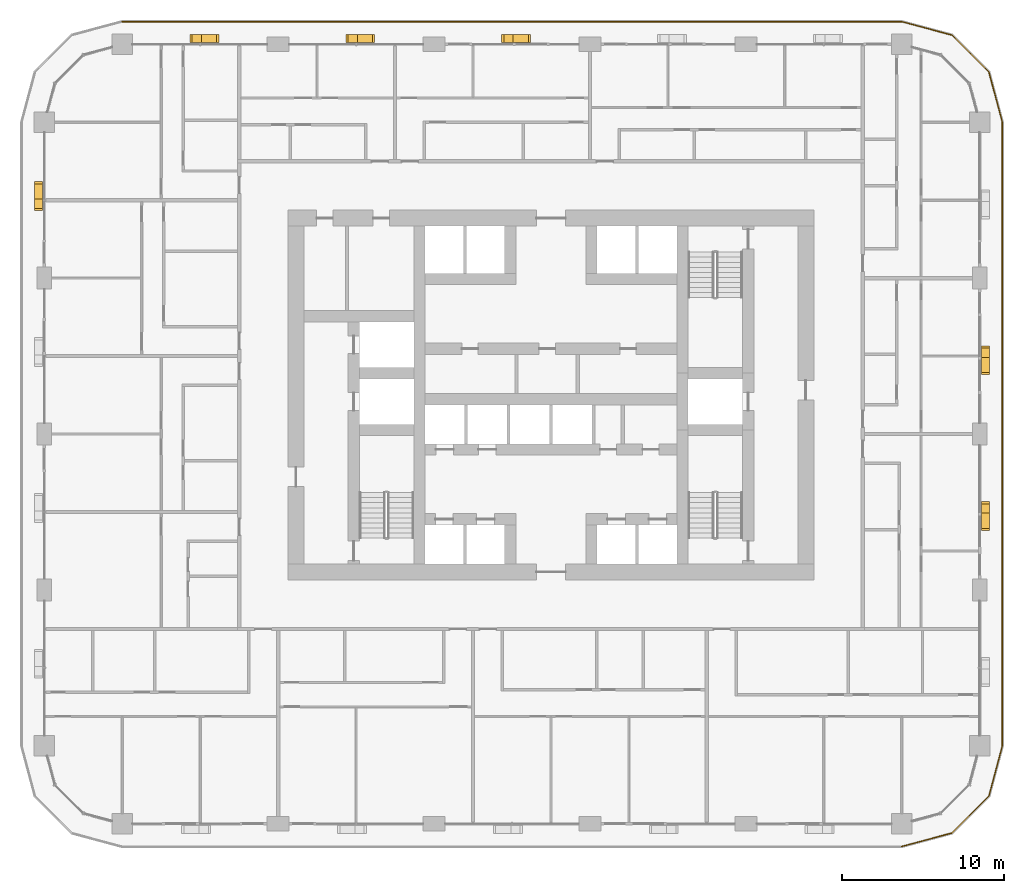
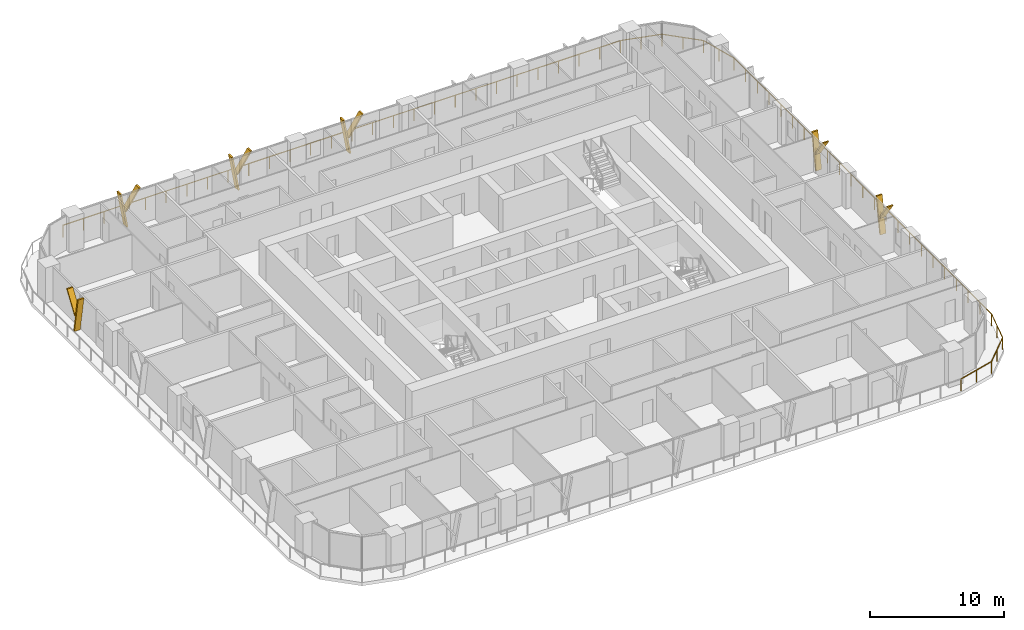
# One storey, part 20 of 21: 12 shading devices, 1 railing.
"""IFC4 building model written with IfcOpenShell, lengths in metres."""

from ifc_helpers import new_model, si_unit, direction, frame, origin, origin_2d, place, context, subcontext, project, spatial, polyline, circle, outline, extrude, material, type_object, element, save


model = new_model("IFC4")

# Units and contexts
model_context = context("Model", 3, precision=1e-05, world=origin(), true_north=direction((0.0, 1.0)))
body_context = subcontext(model_context, "Body", "Model", "MODEL_VIEW")
ifc_project = project(units=[si_unit("LENGTHUNIT", "METRE"), si_unit("AREAUNIT", "SQUARE_METRE"), si_unit("VOLUMEUNIT", "CUBIC_METRE"), si_unit("PLANEANGLEUNIT", "RADIAN"), si_unit("MASSUNIT", "GRAM", prefix="KILO")], contexts=[model_context])

# Site, building, storey
site_placement = place(None, origin())
site = spatial("IfcSite", under=ifc_project, at=site_placement, CompositionType="ELEMENT")
building_placement = place(site_placement, origin())
building = spatial("IfcBuilding", under=site, at=building_placement, Name="Madar Terraces", CompositionType="ELEMENT")
storey_placement = place(building_placement, frame((0.0, 0.0, 43.39990234375)))
storey = spatial("IfcBuildingStorey", under=building, at=storey_placement, Name="L10", CompositionType="ELEMENT", Elevation=43.39990234375)

# Railing
ifc_material_1 = material(Name="Glass, safety glazing, with stainless steel posts", Category="steel")
railing_type = type_object("IfcRailingType", Name="Balcony glass guard 1100", PredefinedType="GUARDRAIL", material=ifc_material_1)
railing_placement = place(storey_placement, frame((52.800048828125, -1.39990234375, 0.0)))
element("IfcRailing", 1, at=railing_placement, inside=storey, type_object=railing_type, Name="Balcony guard", PredefinedType="GUARDRAIL", context=body_context, shape_type="SweptSolid", body=[
    extrude(circle(Radius=0.02392578125, at=origin_2d()), frame((0.0, 0.0, 1.076171875), z_axis=(0.965928696102, 0.258808334578, 0.0), x_axis=(-0.258808334578, 0.965928696102, 0.0)), (0.0, 0.0, 1.0), 3.209228515625),
    extrude(circle(Radius=0.02392578125, at=origin_2d()), frame((3.099853515625, 0.83056640625, 1.076171875), z_axis=(0.707144815061, 0.707068745266, 0.0), x_axis=(-0.707068745266, 0.707144815061, 0.0)), (0.0, 0.0, 1.0), 3.20947265625),
    extrude(circle(Radius=0.02392578125, at=origin_2d()), frame((5.369384765625, 3.099853515625, 1.076171875), z_axis=(0.258789317819, 0.9659337912, 0.0), x_axis=(-0.9659337912, 0.258789317819, 0.0)), (0.0, 0.0, 1.0), 3.20947265625),
    extrude(circle(Radius=0.02392578125, at=origin_2d()), frame((6.199951171875, 6.199951171875, 1.076171875), z_axis=(0.0, 1.0, 0.0), x_axis=(-1.0, 0.0, 0.0)), (0.0, 0.0, 1.0), 38.39990234375),
    extrude(circle(Radius=0.02392578125, at=origin_2d()), frame((6.199951171875, 44.599853515625, 1.076171875), z_axis=(-0.258789317819, 0.9659337912, 0.0), x_axis=(-0.9659337912, -0.258789317819, 0.0)), (0.0, 0.0, 1.0), 3.20947265625),
    extrude(circle(Radius=0.02392578125, at=origin_2d()), frame((5.369384765625, 47.699951171875, 1.076171875), z_axis=(-0.707144815061, 0.707068745266, 0.0), x_axis=(-0.707068745266, -0.707144815061, 0.0)), (0.0, 0.0, 1.0), 3.20947265625),
    extrude(circle(Radius=0.02392578125, at=origin_2d()), frame((3.099853515625, 49.96923828125, 1.076171875), z_axis=(-0.965928696102, 0.258808334578, 0.0), x_axis=(-0.258808334578, -0.965928696102, 0.0)), (0.0, 0.0, 1.0), 3.209228515625),
    extrude(circle(Radius=0.02392578125, at=origin_2d()), frame((0.0, 50.7998046875, 1.076171875), z_axis=(-1.0, 0.0, 0.0), x_axis=(0.0, -1.0, 0.0)), (0.0, 0.0, 1.0), 48.0),
    extrude(circle(Radius=0.02099609375, at=origin_2d()), origin(), (0.0, 0.0, 1.0), 1.052001953125),
    extrude(circle(Radius=0.02099609375, at=origin_2d()), frame((1.5498046875, 0.415283203125, 0.0)), (0.0, 0.0, 1.0), 1.052001953125),
    extrude(circle(Radius=0.02099609375, at=origin_2d()), frame((3.099853515625, 0.83056640625, 0.0)), (0.0, 0.0, 1.0), 1.052001953125),
    extrude(circle(Radius=0.02099609375, at=origin_2d()), frame((4.234619140625, 1.96533203125, 0.0)), (0.0, 0.0, 1.0), 1.052001953125),
    extrude(circle(Radius=0.02099609375, at=origin_2d()), frame((5.369384765625, 3.099853515625, 0.0)), (0.0, 0.0, 1.0), 1.052001953125),
    extrude(circle(Radius=0.02099609375, at=origin_2d()), frame((5.78466796875, 4.64990234375, 0.0)), (0.0, 0.0, 1.0), 1.052001953125),
    extrude(circle(Radius=0.02099609375, at=origin_2d()), frame((6.199951171875, 6.199951171875, 0.0)), (0.0, 0.0, 1.0), 1.052001953125),
    extrude(circle(Radius=0.02099609375, at=origin_2d()), frame((6.199951171875, 7.9453125, 0.0)), (0.0, 0.0, 1.0), 1.052001953125),
    extrude(circle(Radius=0.02099609375, at=origin_2d()), frame((6.199951171875, 9.69091796875, 0.0)), (0.0, 0.0, 1.0), 1.052001953125),
    extrude(circle(Radius=0.02099609375, at=origin_2d()), frame((6.199951171875, 11.436279296875, 0.0)), (0.0, 0.0, 1.0), 1.052001953125),
    extrude(circle(Radius=0.02099609375, at=origin_2d()), frame((6.199951171875, 13.181640625, 0.0)), (0.0, 0.0, 1.0), 1.052001953125),
    extrude(circle(Radius=0.02099609375, at=origin_2d()), frame((6.199951171875, 14.92724609375, 0.0)), (0.0, 0.0, 1.0), 1.052001953125),
    extrude(circle(Radius=0.02099609375, at=origin_2d()), frame((6.199951171875, 16.672607421875, 0.0)), (0.0, 0.0, 1.0), 1.052001953125),
    extrude(circle(Radius=0.02099609375, at=origin_2d()), frame((6.199951171875, 18.418212890625, 0.0)), (0.0, 0.0, 1.0), 1.052001953125),
    extrude(circle(Radius=0.02099609375, at=origin_2d()), frame((6.199951171875, 20.16357421875, 0.0)), (0.0, 0.0, 1.0), 1.052001953125),
    extrude(circle(Radius=0.02099609375, at=origin_2d()), frame((6.199951171875, 21.908935546875, 0.0)), (0.0, 0.0, 1.0), 1.052001953125),
    extrude(circle(Radius=0.02099609375, at=origin_2d()), frame((6.199951171875, 23.654541015625, 0.0)), (0.0, 0.0, 1.0), 1.052001953125),
    extrude(circle(Radius=0.02099609375, at=origin_2d()), frame((6.199951171875, 25.39990234375, 0.0)), (0.0, 0.0, 1.0), 1.052001953125),
    extrude(circle(Radius=0.02099609375, at=origin_2d()), frame((6.199951171875, 27.145263671875, 0.0)), (0.0, 0.0, 1.0), 1.052001953125),
    extrude(circle(Radius=0.02099609375, at=origin_2d()), frame((6.199951171875, 28.890869140625, 0.0)), (0.0, 0.0, 1.0), 1.052001953125),
    extrude(circle(Radius=0.02099609375, at=origin_2d()), frame((6.199951171875, 30.63623046875, 0.0)), (0.0, 0.0, 1.0), 1.052001953125),
    extrude(circle(Radius=0.02099609375, at=origin_2d()), frame((6.199951171875, 32.381591796875, 0.0)), (0.0, 0.0, 1.0), 1.052001953125),
    extrude(circle(Radius=0.02099609375, at=origin_2d()), frame((6.199951171875, 34.127197265625, 0.0)), (0.0, 0.0, 1.0), 1.052001953125),
    extrude(circle(Radius=0.02099609375, at=origin_2d()), frame((6.199951171875, 35.87255859375, 0.0)), (0.0, 0.0, 1.0), 1.052001953125),
    extrude(circle(Radius=0.02099609375, at=origin_2d()), frame((6.199951171875, 37.6181640625, 0.0)), (0.0, 0.0, 1.0), 1.052001953125),
    extrude(circle(Radius=0.02099609375, at=origin_2d()), frame((6.199951171875, 39.363525390625, 0.0)), (0.0, 0.0, 1.0), 1.052001953125),
    extrude(circle(Radius=0.02099609375, at=origin_2d()), frame((6.199951171875, 41.10888671875, 0.0)), (0.0, 0.0, 1.0), 1.052001953125),
    extrude(circle(Radius=0.02099609375, at=origin_2d()), frame((6.199951171875, 42.8544921875, 0.0)), (0.0, 0.0, 1.0), 1.052001953125),
    extrude(circle(Radius=0.02099609375, at=origin_2d()), frame((6.199951171875, 44.599853515625, 0.0)), (0.0, 0.0, 1.0), 1.052001953125),
    extrude(circle(Radius=0.02099609375, at=origin_2d()), frame((5.78466796875, 46.14990234375, 0.0)), (0.0, 0.0, 1.0), 1.052001953125),
    extrude(circle(Radius=0.02099609375, at=origin_2d()), frame((5.369384765625, 47.699951171875, 0.0)), (0.0, 0.0, 1.0), 1.052001953125),
    extrude(circle(Radius=0.02099609375, at=origin_2d()), frame((4.234619140625, 48.83447265625, 0.0)), (0.0, 0.0, 1.0), 1.052001953125),
    extrude(circle(Radius=0.02099609375, at=origin_2d()), frame((3.099853515625, 49.96923828125, 0.0)), (0.0, 0.0, 1.0), 1.052001953125),
    extrude(circle(Radius=0.02099609375, at=origin_2d()), frame((1.5498046875, 50.384521484375, 0.0)), (0.0, 0.0, 1.0), 1.052001953125),
    extrude(circle(Radius=0.02099609375, at=origin_2d()), frame((0.0, 50.7998046875, 0.0)), (0.0, 0.0, 1.0), 1.052001953125),
    extrude(circle(Radius=0.02099609375, at=origin_2d()), frame((-1.77783203125, 50.7998046875, 0.0)), (0.0, 0.0, 1.0), 1.052001953125),
    extrude(circle(Radius=0.02099609375, at=origin_2d()), frame((-3.5556640625, 50.7998046875, 0.0)), (0.0, 0.0, 1.0), 1.052001953125),
    extrude(circle(Radius=0.02099609375, at=origin_2d()), frame((-5.333251953125, 50.7998046875, 0.0)), (0.0, 0.0, 1.0), 1.052001953125),
    extrude(circle(Radius=0.02099609375, at=origin_2d()), frame((-7.111083984375, 50.7998046875, 0.0)), (0.0, 0.0, 1.0), 1.052001953125),
    extrude(circle(Radius=0.02099609375, at=origin_2d()), frame((-8.888916015625, 50.7998046875, 0.0)), (0.0, 0.0, 1.0), 1.052001953125),
    extrude(circle(Radius=0.02099609375, at=origin_2d()), frame((-10.666748046875, 50.7998046875, 0.0)), (0.0, 0.0, 1.0), 1.052001953125),
    extrude(circle(Radius=0.02099609375, at=origin_2d()), frame((-12.4443359375, 50.7998046875, 0.0)), (0.0, 0.0, 1.0), 1.052001953125),
    extrude(circle(Radius=0.02099609375, at=origin_2d()), frame((-14.22216796875, 50.7998046875, 0.0)), (0.0, 0.0, 1.0), 1.052001953125),
    extrude(circle(Radius=0.02099609375, at=origin_2d()), frame((-16.0, 50.7998046875, 0.0)), (0.0, 0.0, 1.0), 1.052001953125),
    extrude(circle(Radius=0.02099609375, at=origin_2d()), frame((-17.77783203125, 50.7998046875, 0.0)), (0.0, 0.0, 1.0), 1.052001953125),
    extrude(circle(Radius=0.02099609375, at=origin_2d()), frame((-19.5556640625, 50.7998046875, 0.0)), (0.0, 0.0, 1.0), 1.052001953125),
    extrude(circle(Radius=0.02099609375, at=origin_2d()), frame((-21.333251953125, 50.7998046875, 0.0)), (0.0, 0.0, 1.0), 1.052001953125),
    extrude(circle(Radius=0.02099609375, at=origin_2d()), frame((-23.111083984375, 50.7998046875, 0.0)), (0.0, 0.0, 1.0), 1.052001953125),
    extrude(circle(Radius=0.02099609375, at=origin_2d()), frame((-24.888916015625, 50.7998046875, 0.0)), (0.0, 0.0, 1.0), 1.052001953125),
    extrude(circle(Radius=0.02099609375, at=origin_2d()), frame((-26.666748046875, 50.7998046875, 0.0)), (0.0, 0.0, 1.0), 1.052001953125),
    extrude(circle(Radius=0.02099609375, at=origin_2d()), frame((-28.4443359375, 50.7998046875, 0.0)), (0.0, 0.0, 1.0), 1.052001953125),
    extrude(circle(Radius=0.02099609375, at=origin_2d()), frame((-30.22216796875, 50.7998046875, 0.0)), (0.0, 0.0, 1.0), 1.052001953125),
    extrude(circle(Radius=0.02099609375, at=origin_2d()), frame((-32.0, 50.7998046875, 0.0)), (0.0, 0.0, 1.0), 1.052001953125),
    extrude(circle(Radius=0.02099609375, at=origin_2d()), frame((-33.77783203125, 50.7998046875, 0.0)), (0.0, 0.0, 1.0), 1.052001953125),
    extrude(circle(Radius=0.02099609375, at=origin_2d()), frame((-35.5556640625, 50.7998046875, 0.0)), (0.0, 0.0, 1.0), 1.052001953125),
    extrude(circle(Radius=0.02099609375, at=origin_2d()), frame((-37.333251953125, 50.7998046875, 0.0)), (0.0, 0.0, 1.0), 1.052001953125),
    extrude(circle(Radius=0.02099609375, at=origin_2d()), frame((-39.111083984375, 50.7998046875, 0.0)), (0.0, 0.0, 1.0), 1.052001953125),
    extrude(circle(Radius=0.02099609375, at=origin_2d()), frame((-40.888916015625, 50.7998046875, 0.0)), (0.0, 0.0, 1.0), 1.052001953125),
    extrude(circle(Radius=0.02099609375, at=origin_2d()), frame((-42.666748046875, 50.7998046875, 0.0)), (0.0, 0.0, 1.0), 1.052001953125),
    extrude(circle(Radius=0.02099609375, at=origin_2d()), frame((-44.4443359375, 50.7998046875, 0.0)), (0.0, 0.0, 1.0), 1.052001953125),
    extrude(circle(Radius=0.02099609375, at=origin_2d()), frame((-46.22216796875, 50.7998046875, 0.0)), (0.0, 0.0, 1.0), 1.052001953125),
    extrude(circle(Radius=0.02099609375, at=origin_2d()), frame((-48.0, 50.7998046875, 0.0)), (0.0, 0.0, 1.0), 1.052001953125),
])

# Shading devices
ifc_material_2 = material(Name="Aluminium, black anodised", Category="aluminium")
shading_device_type = type_object("IfcShadingDeviceType", Name="Facade fin blade 140 x 500", PredefinedType="USERDEFINED", material=ifc_material_2)
shading_device_1_placement = place(storey_placement, frame((57.949951171875, 19.1298828125, 0.0), z_axis=(0.0, 0.0, 1.0), x_axis=(0.0, 1.0, 0.0)))
element("IfcShadingDevice", 2, at=shading_device_1_placement, inside=storey, type_object=shading_device_type, Name="FIN L10 E2", ObjectType="FIN", PredefinedType="USERDEFINED", context=body_context, shape_type="SweptSolid", body=[
    extrude(outline(polyline([(0.0, 0.0), (0.14013671875, 0.0), (0.704345703125, 3.2001953125), (0.564208984375, 3.2001953125), (0.0, 0.0)])), frame((0.0, 0.25, 0.0), z_axis=(0.0, -1.0, 0.0), x_axis=(1.0, 0.0, 0.0)), (0.0, 0.0, 1.0), 0.5),
])
shading_device_2_placement = place(storey_placement, frame((57.949951171875, 19.243896484375, 1.440185546875), z_axis=(0.0, 0.0, 1.0), x_axis=(0.0, 1.0, 0.0)))
element("IfcShadingDevice", 3, at=shading_device_2_placement, inside=storey, type_object=shading_device_type, Name="FIN L10 E2 branch", ObjectType="FIN", PredefinedType="USERDEFINED", context=body_context, shape_type="SweptSolid", body=[
    extrude(outline(polyline([(0.0, 0.0), (0.139892578125, 0.0), (-1.049560546875, 1.760009765625), (-1.189697265625, 1.760009765625), (0.0, 0.0)])), frame((0.0, 0.25, 0.0), z_axis=(0.0, -1.0, 0.0), x_axis=(1.0, 0.0, 0.0)), (0.0, 0.0, 1.0), 0.5),
])
shading_device_3_placement = place(storey_placement, frame((57.949951171875, 28.72998046875, 0.0), z_axis=(0.0, 0.0, 1.0), x_axis=(0.0, 1.0, 0.0)))
element("IfcShadingDevice", 4, at=shading_device_3_placement, inside=storey, type_object=shading_device_type, Name="FIN L10 E3", ObjectType="FIN", PredefinedType="USERDEFINED", context=body_context, shape_type="SweptSolid", body=[
    extrude(outline(polyline([(0.0, 0.0), (0.14013671875, 0.0), (0.704345703125, 3.2001953125), (0.564208984375, 3.2001953125), (0.0, 0.0)])), frame((0.0, 0.25, 0.0), z_axis=(0.0, -1.0, 0.0), x_axis=(1.0, 0.0, 0.0)), (0.0, 0.0, 1.0), 0.5),
])
shading_device_4_placement = place(storey_placement, frame((57.949951171875, 28.843994140625, 1.440185546875), z_axis=(0.0, 0.0, 1.0), x_axis=(0.0, 1.0, 0.0)))
element("IfcShadingDevice", 5, at=shading_device_4_placement, inside=storey, type_object=shading_device_type, Name="FIN L10 E3 branch", ObjectType="FIN", PredefinedType="USERDEFINED", context=body_context, shape_type="SweptSolid", body=[
    extrude(outline(polyline([(0.0, 0.0), (0.139892578125, 0.0), (-1.049560546875, 1.760009765625), (-1.189697265625, 1.760009765625), (0.0, 0.0)])), frame((0.0, 0.25, 0.0), z_axis=(0.0, -1.0, 0.0), x_axis=(1.0, 0.0, 0.0)), (0.0, 0.0, 1.0), 0.5),
])
shading_device_5_placement = place(storey_placement, frame((28.8701171875, 48.35009765625, 0.0), z_axis=(0.0, 0.0, 1.0), x_axis=(-1.0, 0.0, 0.0)))
element("IfcShadingDevice", 6, at=shading_device_5_placement, inside=storey, type_object=shading_device_type, Name="FIN L10 N3", ObjectType="FIN", PredefinedType="USERDEFINED", context=body_context, shape_type="SweptSolid", body=[
    extrude(outline(polyline([(0.0, 0.0), (0.14013671875, 0.0), (0.704345703125, 3.2001953125), (0.564208984375, 3.2001953125), (0.0, 0.0)])), frame((0.0, 0.25, 0.0), z_axis=(0.0, -1.0, 0.0), x_axis=(1.0, 0.0, 0.0)), (0.0, 0.0, 1.0), 0.5),
])
shading_device_6_placement = place(storey_placement, frame((28.756103515625, 48.35009765625, 1.440185546875), z_axis=(0.0, 0.0, 1.0), x_axis=(-1.0, 0.0, 0.0)))
element("IfcShadingDevice", 7, at=shading_device_6_placement, inside=storey, type_object=shading_device_type, Name="FIN L10 N3 branch", ObjectType="FIN", PredefinedType="USERDEFINED", context=body_context, shape_type="SweptSolid", body=[
    extrude(outline(polyline([(0.0, 0.0), (0.139892578125, 0.0), (-1.049560546875, 1.760009765625), (-1.189697265625, 1.760009765625), (0.0, 0.0)])), frame((0.0, 0.25, 0.0), z_axis=(0.0, -1.0, 0.0), x_axis=(1.0, 0.0, 0.0)), (0.0, 0.0, 1.0), 0.5),
])
shading_device_7_placement = place(storey_placement, frame((19.27001953125, 48.35009765625, 0.0), z_axis=(0.0, 0.0, 1.0), x_axis=(-1.0, 0.0, 0.0)))
element("IfcShadingDevice", 8, at=shading_device_7_placement, inside=storey, type_object=shading_device_type, Name="FIN L10 N4", ObjectType="FIN", PredefinedType="USERDEFINED", context=body_context, shape_type="SweptSolid", body=[
    extrude(outline(polyline([(0.0, 0.0), (0.14013671875, 0.0), (0.704345703125, 3.2001953125), (0.564208984375, 3.2001953125), (0.0, 0.0)])), frame((0.0, 0.25, 0.0), z_axis=(0.0, -1.0, 0.0), x_axis=(1.0, 0.0, 0.0)), (0.0, 0.0, 1.0), 0.5),
])
shading_device_8_placement = place(storey_placement, frame((19.156005859375, 48.35009765625, 1.440185546875), z_axis=(0.0, 0.0, 1.0), x_axis=(-1.0, 0.0, 0.0)))
element("IfcShadingDevice", 9, at=shading_device_8_placement, inside=storey, type_object=shading_device_type, Name="FIN L10 N4 branch", ObjectType="FIN", PredefinedType="USERDEFINED", context=body_context, shape_type="SweptSolid", body=[
    extrude(outline(polyline([(0.0, 0.0), (0.139892578125, 0.0), (-1.049560546875, 1.760009765625), (-1.189697265625, 1.760009765625), (0.0, 0.0)])), frame((0.0, 0.25, 0.0), z_axis=(0.0, -1.0, 0.0), x_axis=(1.0, 0.0, 0.0)), (0.0, 0.0, 1.0), 0.5),
])
shading_device_9_placement = place(storey_placement, frame((9.669921875, 48.35009765625, 0.0), z_axis=(0.0, 0.0, 1.0), x_axis=(-1.0, 0.0, 0.0)))
element("IfcShadingDevice", 10, at=shading_device_9_placement, inside=storey, type_object=shading_device_type, Name="FIN L10 N5", ObjectType="FIN", PredefinedType="USERDEFINED", context=body_context, shape_type="SweptSolid", body=[
    extrude(outline(polyline([(0.0, 0.0), (0.139892578125, 0.0), (0.704345703125, 3.2001953125), (0.564208984375, 3.2001953125), (0.0, 0.0)])), frame((0.0, 0.25, 0.0), z_axis=(0.0, -1.0, 0.0), x_axis=(1.0, 0.0, 0.0)), (0.0, 0.0, 1.0), 0.5),
])
shading_device_10_placement = place(storey_placement, frame((9.55615234375, 48.35009765625, 1.440185546875), z_axis=(0.0, 0.0, 1.0), x_axis=(-1.0, 0.0, 0.0)))
element("IfcShadingDevice", 11, at=shading_device_10_placement, inside=storey, type_object=shading_device_type, Name="FIN L10 N5 branch", ObjectType="FIN", PredefinedType="USERDEFINED", context=body_context, shape_type="SweptSolid", body=[
    extrude(outline(polyline([(0.0, 0.0), (0.14013671875, 0.0), (-1.049560546875, 1.760009765625), (-1.189697265625, 1.760009765625), (0.0, 0.0)])), frame((0.0, 0.25, 0.0), z_axis=(0.0, -1.0, 0.0), x_axis=(1.0, 0.0, 0.0)), (0.0, 0.0, 1.0), 0.5),
])
shading_device_11_placement = place(storey_placement, frame((-0.35009765625, 38.469970703125, 0.0), z_axis=(0.0, 0.0, 1.0), x_axis=(0.0, -1.0, 0.0)))
element("IfcShadingDevice", 12, at=shading_device_11_placement, inside=storey, type_object=shading_device_type, Name="FIN L10 W1", ObjectType="FIN", PredefinedType="USERDEFINED", context=body_context, shape_type="SweptSolid", body=[
    extrude(outline(polyline([(0.0, 0.0), (0.139892578125, 0.0), (0.704345703125, 3.2001953125), (0.564208984375, 3.2001953125), (0.0, 0.0)])), frame((0.0, 0.25, 0.0), z_axis=(0.0, -1.0, 0.0), x_axis=(1.0, 0.0, 0.0)), (0.0, 0.0, 1.0), 0.5),
])
shading_device_12_placement = place(storey_placement, frame((-0.35009765625, 38.356201171875, 1.440185546875), z_axis=(0.0, 0.0, 1.0), x_axis=(0.0, -1.0, 0.0)))
element("IfcShadingDevice", 13, at=shading_device_12_placement, inside=storey, type_object=shading_device_type, Name="FIN L10 W1 branch", ObjectType="FIN", PredefinedType="USERDEFINED", context=body_context, shape_type="SweptSolid", body=[
    extrude(outline(polyline([(0.0, 0.0), (0.14013671875, 0.0), (-1.049560546875, 1.760009765625), (-1.189697265625, 1.760009765625), (0.0, 0.0)])), frame((0.0, 0.25, 0.0), z_axis=(0.0, -1.0, 0.0), x_axis=(1.0, 0.0, 0.0)), (0.0, 0.0, 1.0), 0.5),
])

save(model, "model.ifc")
